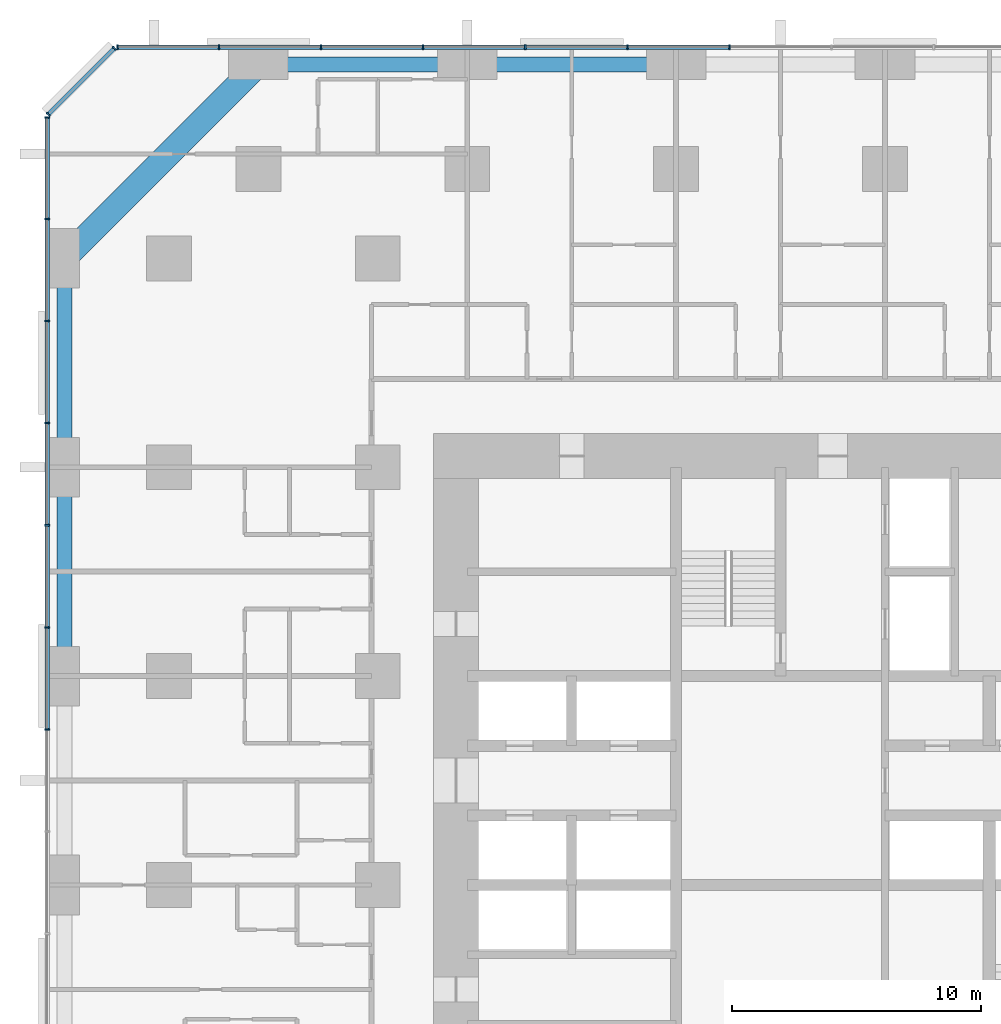
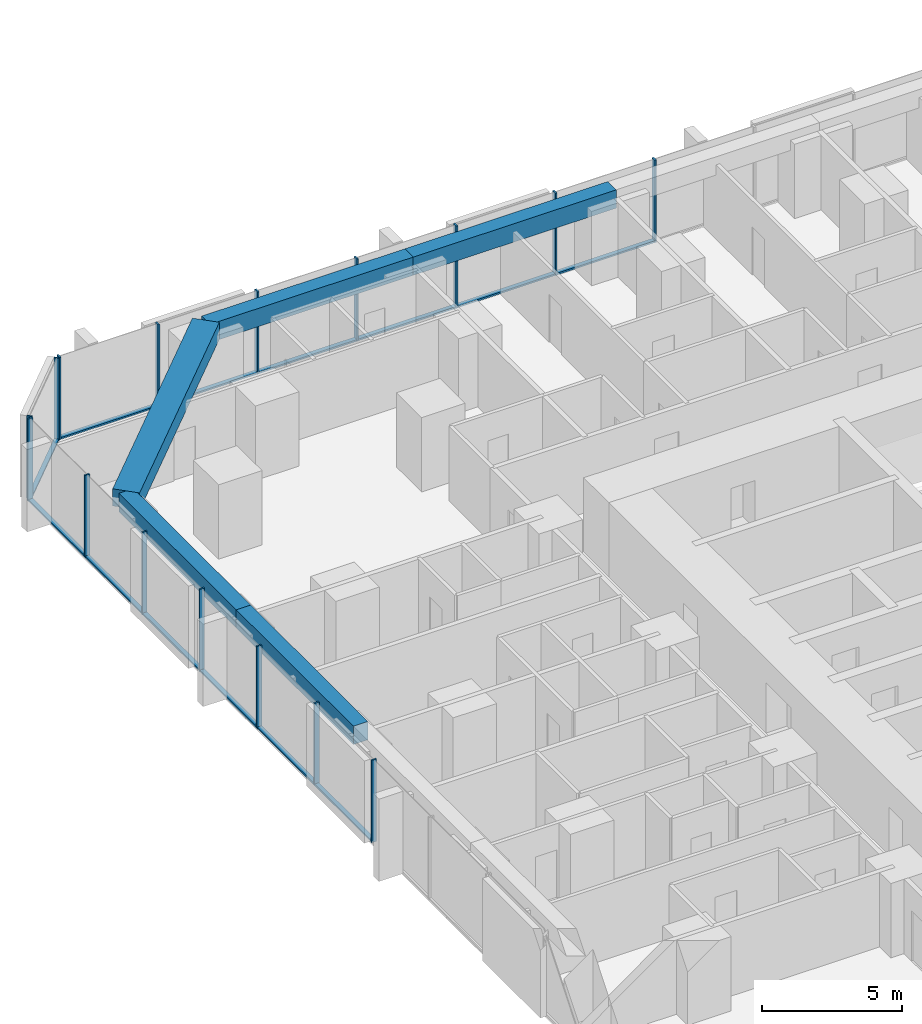
# One storey, part 6 of 17: 29 members, 5 beams, 3 elements without a shape of their own.
"""IFC4 building model written with IfcOpenShell, lengths in metres."""

from ifc_helpers import new_model, si_unit, direction, frame, origin, origin_2d, place, context, subcontext, project, spatial, rectangle, extrude, material, material_profile, profile_set, type_object, element, aggregate, save


model = new_model("IFC4")

# Units and contexts
model_context = context("Model", 3, precision=1e-05, world=origin(), true_north=direction((0.0, 1.0)))
body_context = subcontext(model_context, "Body", "Model", "MODEL_VIEW")
ifc_project = project(units=[si_unit("LENGTHUNIT", "METRE"), si_unit("AREAUNIT", "SQUARE_METRE"), si_unit("VOLUMEUNIT", "CUBIC_METRE"), si_unit("PLANEANGLEUNIT", "RADIAN"), si_unit("MASSUNIT", "GRAM", prefix="KILO")], contexts=[model_context])

# Site, building, storey
site_placement = place(None, origin())
site = spatial("IfcSite", under=ifc_project, at=site_placement, CompositionType="ELEMENT")
building_placement = place(site_placement, origin())
building = spatial("IfcBuilding", under=site, at=building_placement, Name="Dunama Terrace Hotel", CompositionType="ELEMENT")
storey_placement = place(building_placement, frame((0.0, 0.0, 45.0)))
storey = spatial("IfcBuildingStorey", under=building, at=storey_placement, Name="L10", CompositionType="ELEMENT", Elevation=45.0)

# Curtain wall, members
ifc_material_1 = material(Name="Aluminium curtain wall system", Category="aluminium")
curtain_wall_type = type_object("IfcCurtainWallType", Name="Unitised fritted glass wall CW-A", PredefinedType="NOTDEFINED", material=ifc_material_1)
curtain_wall_1_placement = place(storey_placement, origin())
curtain_wall_1 = element("IfcCurtainWall", 1, at=curtain_wall_1_placement, inside=storey, type_object=curtain_wall_type, Name="Unitised fritted glass wall CW-A L10", PredefinedType="NOTDEFINED")
ifc_material_2 = material(Name="Aluminium mullion", Category="aluminium")
ifc_material_profile_1 = material_profile(ifc_material_2, rectangle(XDim=0.06494140625, YDim=0.199951171875, at=origin_2d()), Name="CWA MULLION 65X200")
ifc_profile_set_1 = profile_set([ifc_material_profile_1], Name="Aluminium mullion")
member_type_1 = type_object("IfcMemberType", Name="CWA mullion 65x200", PredefinedType="MULLION", material=ifc_profile_set_1)
member_1_placement = place(storey_placement, frame((27.345947265625, 58.89990234375, 0.0), z_axis=(0.0, 0.0, 1.0), x_axis=(-1.0, 0.0, 0.0)))
member_1 = element("IfcMember", 2, at=member_1_placement, type_object=member_type_1, Name="CWA mullion", PredefinedType="MULLION", context=body_context, shape_type="SweptSolid", body=[
    extrude(rectangle(XDim=0.06494140625, YDim=0.199951171875, at=origin_2d()), origin(), (0.0, 0.0, 1.0), 3.60009765625),
])
member_2_placement = place(storey_placement, frame((23.238037109375, 58.89990234375, 0.0), z_axis=(0.0, 0.0, 1.0), x_axis=(-1.0, 0.0, 0.0)))
member_2 = element("IfcMember", 3, at=member_2_placement, type_object=member_type_1, Name="CWA mullion", PredefinedType="MULLION", context=body_context, shape_type="SweptSolid", body=[
    extrude(rectangle(XDim=0.06494140625, YDim=0.199951171875, at=origin_2d()), origin(), (0.0, 0.0, 1.0), 3.60009765625),
])
member_3_placement = place(storey_placement, frame((19.131103515625, 58.89990234375, 0.0), z_axis=(0.0, 0.0, 1.0), x_axis=(-1.0, 0.0, 0.0)))
member_3 = element("IfcMember", 4, at=member_3_placement, type_object=member_type_1, Name="CWA mullion", PredefinedType="MULLION", context=body_context, shape_type="SweptSolid", body=[
    extrude(rectangle(XDim=0.06494140625, YDim=0.199951171875, at=origin_2d()), origin(), (0.0, 0.0, 1.0), 3.60009765625),
])
member_4_placement = place(storey_placement, frame((15.02294921875, 58.89990234375, 0.0), z_axis=(0.0, 0.0, 1.0), x_axis=(-1.0, 0.0, 0.0)))
member_4 = element("IfcMember", 5, at=member_4_placement, type_object=member_type_1, Name="CWA mullion", PredefinedType="MULLION", context=body_context, shape_type="SweptSolid", body=[
    extrude(rectangle(XDim=0.06494140625, YDim=0.199951171875, at=origin_2d()), origin(), (0.0, 0.0, 1.0), 3.60009765625),
])
member_5_placement = place(storey_placement, frame((10.9150390625, 58.89990234375, 0.0), z_axis=(0.0, 0.0, 1.0), x_axis=(-1.0, 0.0, 0.0)))
member_5 = element("IfcMember", 6, at=member_5_placement, type_object=member_type_1, Name="CWA mullion", PredefinedType="MULLION", context=body_context, shape_type="SweptSolid", body=[
    extrude(rectangle(XDim=0.06494140625, YDim=0.199951171875, at=origin_2d()), origin(), (0.0, 0.0, 1.0), 3.60009765625),
])
member_6_placement = place(storey_placement, frame((6.80810546875, 58.89990234375, 0.0), z_axis=(0.0, 0.0, 1.0), x_axis=(-1.0, 0.0, 0.0)))
member_6 = element("IfcMember", 7, at=member_6_placement, type_object=member_type_1, Name="CWA mullion", PredefinedType="MULLION", context=body_context, shape_type="SweptSolid", body=[
    extrude(rectangle(XDim=0.06494140625, YDim=0.199951171875, at=origin_2d()), origin(), (0.0, 0.0, 1.0), 3.60009765625),
])
member_7_placement = place(storey_placement, frame((2.73291015625, 58.89990234375, 0.0), z_axis=(0.0, 0.0, 1.0), x_axis=(-1.0, 0.0, 0.0)))
member_7 = element("IfcMember", 8, at=member_7_placement, type_object=member_type_1, Name="CWA mullion", PredefinedType="MULLION", context=body_context, shape_type="SweptSolid", body=[
    extrude(rectangle(XDim=0.06494140625, YDim=0.199951171875, at=origin_2d()), origin(), (0.0, 0.0, 1.0), 3.60009765625),
])

curtain_wall_2_placement = place(storey_placement, origin())
curtain_wall_2 = element("IfcCurtainWall", 9, at=curtain_wall_2_placement, inside=storey, type_object=curtain_wall_type, Name="Unitised fritted glass wall CW-A L10", PredefinedType="NOTDEFINED")
member_8_placement = place(storey_placement, frame((2.60595703125, 58.847900390625, 0.0), z_axis=(0.0, 0.0, 1.0), x_axis=(-0.707106781187, -0.707106781187, 0.0)))
member_8 = element("IfcMember", 10, at=member_8_placement, type_object=member_type_1, Name="CWA mullion", PredefinedType="MULLION", context=body_context, shape_type="SweptSolid", body=[
    extrude(rectangle(XDim=0.06494140625, YDim=0.199951171875, at=origin_2d()), origin(), (0.0, 0.0, 1.0), 3.60009765625),
])
member_9_placement = place(storey_placement, frame((-0.048095703125, 56.194091796875, 0.0), z_axis=(0.0, 0.0, 1.0), x_axis=(-0.707106781187, -0.707106781187, 0.0)))
member_9 = element("IfcMember", 11, at=member_9_placement, type_object=member_type_1, Name="CWA mullion", PredefinedType="MULLION", context=body_context, shape_type="SweptSolid", body=[
    extrude(rectangle(XDim=0.06494140625, YDim=0.199951171875, at=origin_2d()), origin(), (0.0, 0.0, 1.0), 3.60009765625),
])

curtain_wall_3_placement = place(storey_placement, origin())
curtain_wall_3 = element("IfcCurtainWall", 12, at=curtain_wall_3_placement, inside=storey, type_object=curtain_wall_type, Name="Unitised fritted glass wall CW-A L10", PredefinedType="NOTDEFINED")
member_10_placement = place(storey_placement, frame((-0.10009765625, 56.06689453125, 0.0), z_axis=(0.0, 0.0, 1.0), x_axis=(0.0, -1.0, 0.0)))
member_10 = element("IfcMember", 13, at=member_10_placement, type_object=member_type_1, Name="CWA mullion", PredefinedType="MULLION", context=body_context, shape_type="SweptSolid", body=[
    extrude(rectangle(XDim=0.06494140625, YDim=0.199951171875, at=origin_2d()), origin(), (0.0, 0.0, 1.0), 3.60009765625),
])
member_11_placement = place(storey_placement, frame((-0.10009765625, 51.991943359375, 0.0), z_axis=(0.0, 0.0, 1.0), x_axis=(0.0, -1.0, 0.0)))
member_11 = element("IfcMember", 14, at=member_11_placement, type_object=member_type_1, Name="CWA mullion", PredefinedType="MULLION", context=body_context, shape_type="SweptSolid", body=[
    extrude(rectangle(XDim=0.06494140625, YDim=0.199951171875, at=origin_2d()), origin(), (0.0, 0.0, 1.0), 3.60009765625),
])
member_12_placement = place(storey_placement, frame((-0.10009765625, 47.885009765625, 0.0), z_axis=(0.0, 0.0, 1.0), x_axis=(0.0, -1.0, 0.0)))
member_12 = element("IfcMember", 15, at=member_12_placement, type_object=member_type_1, Name="CWA mullion", PredefinedType="MULLION", context=body_context, shape_type="SweptSolid", body=[
    extrude(rectangle(XDim=0.06494140625, YDim=0.199951171875, at=origin_2d()), origin(), (0.0, 0.0, 1.0), 3.60009765625),
])
member_13_placement = place(storey_placement, frame((-0.10009765625, 43.777099609375, 0.0), z_axis=(0.0, 0.0, 1.0), x_axis=(0.0, -1.0, 0.0)))
member_13 = element("IfcMember", 16, at=member_13_placement, type_object=member_type_1, Name="CWA mullion", PredefinedType="MULLION", context=body_context, shape_type="SweptSolid", body=[
    extrude(rectangle(XDim=0.06494140625, YDim=0.199951171875, at=origin_2d()), origin(), (0.0, 0.0, 1.0), 3.60009765625),
])
member_14_placement = place(storey_placement, frame((-0.10009765625, 39.6689453125, 0.0), z_axis=(0.0, 0.0, 1.0), x_axis=(0.0, -1.0, 0.0)))
member_14 = element("IfcMember", 17, at=member_14_placement, type_object=member_type_1, Name="CWA mullion", PredefinedType="MULLION", context=body_context, shape_type="SweptSolid", body=[
    extrude(rectangle(XDim=0.06494140625, YDim=0.199951171875, at=origin_2d()), origin(), (0.0, 0.0, 1.0), 3.60009765625),
])
member_15_placement = place(storey_placement, frame((-0.10009765625, 35.56201171875, 0.0), z_axis=(0.0, 0.0, 1.0), x_axis=(0.0, -1.0, 0.0)))
member_15 = element("IfcMember", 18, at=member_15_placement, type_object=member_type_1, Name="CWA mullion", PredefinedType="MULLION", context=body_context, shape_type="SweptSolid", body=[
    extrude(rectangle(XDim=0.06494140625, YDim=0.199951171875, at=origin_2d()), origin(), (0.0, 0.0, 1.0), 3.60009765625),
])
member_16_placement = place(storey_placement, frame((-0.10009765625, 31.4541015625, 0.0), z_axis=(0.0, 0.0, 1.0), x_axis=(0.0, -1.0, 0.0)))
member_16 = element("IfcMember", 19, at=member_16_placement, type_object=member_type_1, Name="CWA mullion", PredefinedType="MULLION", context=body_context, shape_type="SweptSolid", body=[
    extrude(rectangle(XDim=0.06494140625, YDim=0.199951171875, at=origin_2d()), origin(), (0.0, 0.0, 1.0), 3.60009765625),
])

# Member
ifc_material_3 = material(Name="Aluminium transom", Category="aluminium")
ifc_material_profile_2 = material_profile(ifc_material_3, rectangle(XDim=0.179931640625, YDim=0.074951171875, at=origin_2d()), Name="CWA TRANSOM 180X75")
ifc_profile_set_2 = profile_set([ifc_material_profile_2], Name="Aluminium transom")
member_type_2 = type_object("IfcMemberType", Name="CWA transom 180x75", PredefinedType="USERDEFINED", material=ifc_profile_set_2)
member_17_placement = place(storey_placement, frame((27.31396484375, 58.89990234375, 0.03759765625), z_axis=(-1.0, 0.0, 0.0), x_axis=(0.0, -1.0, 0.0)))
member_17 = element("IfcMember", 20, at=member_17_placement, type_object=member_type_2, Name="CWA transom", ObjectType="TRANSOM", PredefinedType="USERDEFINED", context=body_context, shape_type="SweptSolid", body=[
    extrude(rectangle(XDim=0.179931640625, YDim=0.074951171875, at=origin_2d()), origin(), (0.0, 0.0, 1.0), 4.04296875),
])

member_18_placement = place(storey_placement, frame((23.2060546875, 58.89990234375, 0.03759765625), z_axis=(-1.0, 0.0, 0.0), x_axis=(0.0, -1.0, 0.0)))
member_18 = element("IfcMember", 21, at=member_18_placement, type_object=member_type_2, Name="CWA transom", ObjectType="TRANSOM", PredefinedType="USERDEFINED", context=body_context, shape_type="SweptSolid", body=[
    extrude(rectangle(XDim=0.179931640625, YDim=0.074951171875, at=origin_2d()), origin(), (0.0, 0.0, 1.0), 4.04296875),
])

member_19_placement = place(storey_placement, frame((19.097900390625, 58.89990234375, 0.03759765625), z_axis=(-1.0, 0.0, 0.0), x_axis=(0.0, -1.0, 0.0)))
member_19 = element("IfcMember", 22, at=member_19_placement, type_object=member_type_2, Name="CWA transom", ObjectType="TRANSOM", PredefinedType="USERDEFINED", context=body_context, shape_type="SweptSolid", body=[
    extrude(rectangle(XDim=0.179931640625, YDim=0.074951171875, at=origin_2d()), origin(), (0.0, 0.0, 1.0), 4.0419921875),
])

member_20_placement = place(storey_placement, frame((14.990966796875, 58.89990234375, 0.03759765625), z_axis=(-1.0, 0.0, 0.0), x_axis=(0.0, -1.0, 0.0)))
member_20 = element("IfcMember", 23, at=member_20_placement, type_object=member_type_2, Name="CWA transom", ObjectType="TRANSOM", PredefinedType="USERDEFINED", context=body_context, shape_type="SweptSolid", body=[
    extrude(rectangle(XDim=0.179931640625, YDim=0.074951171875, at=origin_2d()), origin(), (0.0, 0.0, 1.0), 4.04296875),
])

member_21_placement = place(storey_placement, frame((10.883056640625, 58.89990234375, 0.03759765625), z_axis=(-1.0, 0.0, 0.0), x_axis=(0.0, -1.0, 0.0)))
member_21 = element("IfcMember", 24, at=member_21_placement, type_object=member_type_2, Name="CWA transom", ObjectType="TRANSOM", PredefinedType="USERDEFINED", context=body_context, shape_type="SweptSolid", body=[
    extrude(rectangle(XDim=0.179931640625, YDim=0.074951171875, at=origin_2d()), origin(), (0.0, 0.0, 1.0), 4.04296875),
])

member_22_placement = place(storey_placement, frame((6.77490234375, 58.89990234375, 0.03759765625), z_axis=(-1.0, 0.0, 0.0), x_axis=(0.0, -1.0, 0.0)))
member_22 = element("IfcMember", 25, at=member_22_placement, type_object=member_type_2, Name="CWA transom", ObjectType="TRANSOM", PredefinedType="USERDEFINED", context=body_context, shape_type="SweptSolid", body=[
    extrude(rectangle(XDim=0.179931640625, YDim=0.074951171875, at=origin_2d()), origin(), (0.0, 0.0, 1.0), 4.010009765625),
])

aggregate(curtain_wall_1, [member_1, member_2, member_3, member_4, member_5, member_6, member_7, member_17, member_18, member_19, member_20, member_21, member_22])

member_23_placement = place(storey_placement, frame((2.5830078125, 58.824951171875, 0.03759765625), z_axis=(-0.707106781187, -0.707106781187, 0.0), x_axis=(0.707106781187, -0.707106781187, 0.0)))
member_23 = element("IfcMember", 26, at=member_23_placement, type_object=member_type_2, Name="CWA transom", ObjectType="TRANSOM", PredefinedType="USERDEFINED", context=body_context, shape_type="SweptSolid", body=[
    extrude(rectangle(XDim=0.179931640625, YDim=0.074951171875, at=origin_2d()), origin(), (0.0, 0.0, 1.0), 3.688232421875),
])

aggregate(curtain_wall_2, [member_8, member_9, member_23])

member_24_placement = place(storey_placement, frame((-0.10009765625, 56.034912109375, 0.03759765625), z_axis=(0.0, -1.0, 0.0), x_axis=(1.0, 0.0, 0.0)))
member_24 = element("IfcMember", 27, at=member_24_placement, type_object=member_type_2, Name="CWA transom", ObjectType="TRANSOM", PredefinedType="USERDEFINED", context=body_context, shape_type="SweptSolid", body=[
    extrude(rectangle(XDim=0.179931640625, YDim=0.074951171875, at=origin_2d()), origin(), (0.0, 0.0, 1.0), 4.010009765625),
])

member_25_placement = place(storey_placement, frame((-0.10009765625, 51.9599609375, 0.03759765625), z_axis=(0.0, -1.0, 0.0), x_axis=(1.0, 0.0, 0.0)))
member_25 = element("IfcMember", 28, at=member_25_placement, type_object=member_type_2, Name="CWA transom", ObjectType="TRANSOM", PredefinedType="USERDEFINED", context=body_context, shape_type="SweptSolid", body=[
    extrude(rectangle(XDim=0.179931640625, YDim=0.074951171875, at=origin_2d()), origin(), (0.0, 0.0, 1.0), 4.04296875),
])

member_26_placement = place(storey_placement, frame((-0.10009765625, 47.85205078125, 0.03759765625), z_axis=(0.0, -1.0, 0.0), x_axis=(1.0, 0.0, 0.0)))
member_26 = element("IfcMember", 29, at=member_26_placement, type_object=member_type_2, Name="CWA transom", ObjectType="TRANSOM", PredefinedType="USERDEFINED", context=body_context, shape_type="SweptSolid", body=[
    extrude(rectangle(XDim=0.179931640625, YDim=0.074951171875, at=origin_2d()), origin(), (0.0, 0.0, 1.0), 4.04296875),
])

member_27_placement = place(storey_placement, frame((-0.10009765625, 43.743896484375, 0.03759765625), z_axis=(0.0, -1.0, 0.0), x_axis=(1.0, 0.0, 0.0)))
member_27 = element("IfcMember", 30, at=member_27_placement, type_object=member_type_2, Name="CWA transom", ObjectType="TRANSOM", PredefinedType="USERDEFINED", context=body_context, shape_type="SweptSolid", body=[
    extrude(rectangle(XDim=0.179931640625, YDim=0.074951171875, at=origin_2d()), origin(), (0.0, 0.0, 1.0), 4.0419921875),
])

member_28_placement = place(storey_placement, frame((-0.10009765625, 39.636962890625, 0.03759765625), z_axis=(0.0, -1.0, 0.0), x_axis=(1.0, 0.0, 0.0)))
member_28 = element("IfcMember", 31, at=member_28_placement, type_object=member_type_2, Name="CWA transom", ObjectType="TRANSOM", PredefinedType="USERDEFINED", context=body_context, shape_type="SweptSolid", body=[
    extrude(rectangle(XDim=0.179931640625, YDim=0.074951171875, at=origin_2d()), origin(), (0.0, 0.0, 1.0), 4.04296875),
])

member_29_placement = place(storey_placement, frame((-0.10009765625, 35.529052734375, 0.03759765625), z_axis=(0.0, -1.0, 0.0), x_axis=(1.0, 0.0, 0.0)))
member_29 = element("IfcMember", 32, at=member_29_placement, type_object=member_type_2, Name="CWA transom", ObjectType="TRANSOM", PredefinedType="USERDEFINED", context=body_context, shape_type="SweptSolid", body=[
    extrude(rectangle(XDim=0.179931640625, YDim=0.074951171875, at=origin_2d()), origin(), (0.0, 0.0, 1.0), 4.04296875),
])

aggregate(curtain_wall_3, [member_10, member_11, member_12, member_13, member_14, member_15, member_16, member_24, member_25, member_26, member_27, member_28, member_29])

# Beams
ifc_material_4 = material(Name="Concrete C50/60", Category="concrete")
ifc_material_profile_3 = material_profile(ifc_material_4, rectangle(XDim=1.0, YDim=0.75, at=origin_2d()), Name="RC 1000x750")
ifc_profile_set_3 = profile_set([ifc_material_profile_3], Name="Concrete C50/60")
beam_type_1 = type_object("IfcBeamType", Name="Edge beam RC 1000x750", PredefinedType="SPANDREL", material=ifc_profile_set_3)
beam_1_placement = place(storey_placement, frame((8.39990234375, 58.199951171875, 3.22509765625), z_axis=(-0.707095714747, -0.707117847453, 0.0), x_axis=(0.707117847453, -0.707095714747, 0.0)))
element("IfcBeam", 33, at=beam_1_placement, inside=storey, type_object=beam_type_1, Name="Corner edge beam under L11", PredefinedType="SPANDREL", context=body_context, shape_type="SweptSolid", body=[
    extrude(rectangle(XDim=1.0, YDim=0.75, at=origin_2d()), origin(), (0.0, 0.0, 1.0), 11.03076171875),
])
ifc_material_5 = material(Name="Concrete C40/50", Category="concrete")
ifc_material_profile_4 = material_profile(ifc_material_5, rectangle(XDim=0.60009765625, YDim=0.800048828125, at=origin_2d()), Name="RC 600x800")
ifc_profile_set_4 = profile_set([ifc_material_profile_4], Name="Concrete C40/50")
beam_type_2 = type_object("IfcBeamType", Name="Edge beam RC 600x800", PredefinedType="SPANDREL", material=ifc_profile_set_4)
for number, where, z_axis, x_axis, name in (
    (34, (0.60009765625, 33.60009765625, 3.199951171875), (0.0, 1.0, 0.0), (-1.0, 0.0, 0.0), "Edge beam under L11"),
    (35, (0.60009765625, 42.0, 3.199951171875), (0.0, 1.0, 0.0), (-1.0, 0.0, 0.0), "Edge beam under L11"),
):
    element("IfcBeam", number, at=place(storey_placement, frame(where, z_axis=z_axis, x_axis=x_axis)), inside=storey, type_object=beam_type_2, Name=name, PredefinedType="SPANDREL", context=body_context, shape_type="SweptSolid", body=[
        extrude(rectangle(XDim=0.60009765625, YDim=0.800048828125, at=origin_2d()), origin(), (0.0, 0.0, 1.0), 8.39990234375),
    ])
beam_2_placement = place(storey_placement, frame((8.39990234375, 58.199951171875, 3.199951171875), z_axis=(1.0, 0.0, 0.0), x_axis=(0.0, 1.0, 0.0)))
element("IfcBeam", 36, at=beam_2_placement, inside=storey, type_object=beam_type_2, Name="Edge beam under L11", PredefinedType="SPANDREL", context=body_context, shape_type="SweptSolid", body=[
    extrude(rectangle(XDim=0.60009765625, YDim=0.800048828125, at=origin_2d()), origin(), (0.0, 0.0, 1.0), 8.400146484375),
])
beam_3_placement = place(storey_placement, frame((16.800048828125, 58.199951171875, 3.199951171875), z_axis=(1.0, 0.0, 0.0), x_axis=(0.0, 1.0, 0.0)))
element("IfcBeam", 37, at=beam_3_placement, inside=storey, type_object=beam_type_2, Name="Edge beam under L11", PredefinedType="SPANDREL", context=body_context, shape_type="SweptSolid", body=[
    extrude(rectangle(XDim=0.60009765625, YDim=0.800048828125, at=origin_2d()), origin(), (0.0, 0.0, 1.0), 8.39990234375),
])

save(model, "model.ifc")
